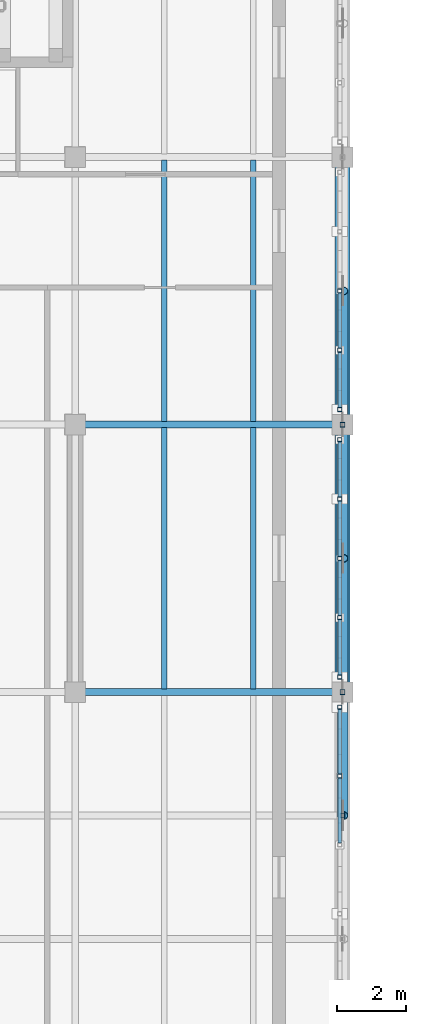
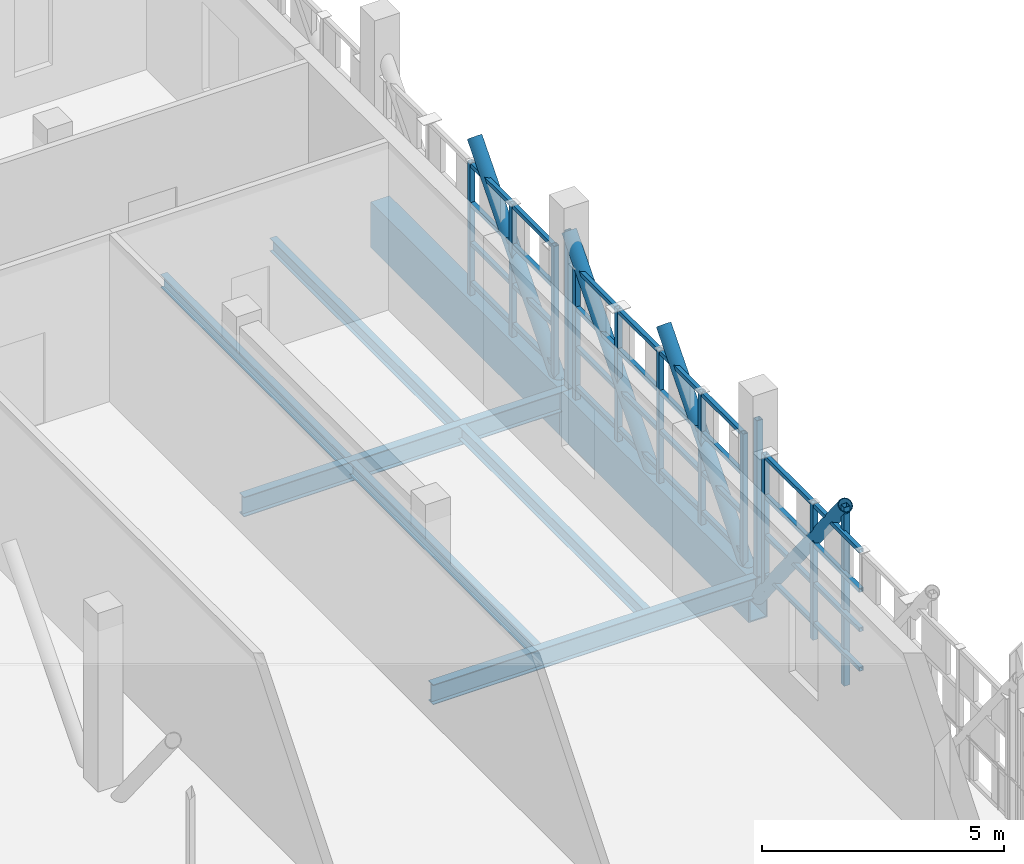
# One storey, part 42 of 119: 49 members, 8 beams.
"""IFC4 building model written with IfcOpenShell, lengths in metres."""

from ifc_helpers import new_model, si_unit, direction, frame, origin, origin_2d, place, context, subcontext, project, spatial, hollow_rectangle, hollow_circle, i_section, extrude, material, material_profile, profile_set, type_object, element, save


model = new_model("IFC4")

# Units and contexts
model_context = context("Model", 3, precision=1e-05, world=origin(), true_north=direction((0.0, 1.0)))
body_context = subcontext(model_context, "Body", "Model", "MODEL_VIEW")
ifc_project = project(units=[si_unit("LENGTHUNIT", "METRE"), si_unit("AREAUNIT", "SQUARE_METRE"), si_unit("VOLUMEUNIT", "CUBIC_METRE"), si_unit("PLANEANGLEUNIT", "RADIAN"), si_unit("MASSUNIT", "GRAM", prefix="KILO")], contexts=[model_context])

# Site, building, storey
site_placement = place(None, origin())
site = spatial("IfcSite", under=ifc_project, at=site_placement, CompositionType="ELEMENT")
building_placement = place(site_placement, origin())
building = spatial("IfcBuilding", under=site, at=building_placement, Name="Celorna Specialist Clinic", CompositionType="ELEMENT")
storey_placement = place(building_placement, frame((0.0, 0.0, 9.60009765625)))
storey = spatial("IfcBuildingStorey", under=building, at=storey_placement, Name="L02", CompositionType="ELEMENT", Elevation=9.60009765625)

# Beams
ifc_material = material(Name="Steel S355", Category="steel")
ifc_material_profile_1 = material_profile(ifc_material, hollow_rectangle(XDim=0.449951171875, YDim=1.14990234375, WallThickness=0.031982421875, at=origin_2d()), Name="BOX 450x1150x32")
ifc_profile_set_1 = profile_set([ifc_material_profile_1], Name="Steel S355")
beam_type_1 = type_object("IfcBeamType", Name="BM-01", PredefinedType="BEAM", material=ifc_profile_set_1)
for number, where, z_axis, x_axis, name in (
    (1, (85.800048828125, 19.5, -0.835205078125), (0.0, 1.0, 0.0), (-1.0, 0.0, 0.0), "Cantilever Pratt truss chord WP-066-WP-067"),
    (2, (85.800048828125, 27.300048828125, -0.835205078125), (0.0, 1.0, 0.0), (-1.0, 0.0, 0.0), "Cantilever Pratt truss chord WP-067-WP-068"),
):
    element("IfcBeam", number, at=place(storey_placement, frame(where, z_axis=z_axis, x_axis=x_axis)), inside=storey, type_object=beam_type_1, Name=name, PredefinedType="BEAM", context=body_context, shape_type="SweptSolid", body=[
        extrude(hollow_rectangle(XDim=0.449951171875, YDim=1.14990234375, WallThickness=0.031982421875, at=origin_2d()), origin(), (0.0, 0.0, 1.0), 7.800048828125),
    ])
ifc_material_profile_2 = material_profile(ifc_material, i_section(OverallWidth=0.199951171875, OverallDepth=0.5, WebThickness=0.01025390625, FlangeThickness=0.01611328125, at=origin_2d()), Name="IPE 500")
ifc_profile_set_2 = profile_set([ifc_material_profile_2], Name="Steel S355")
beam_type_2 = type_object("IfcBeamType", Name="BM-08", PredefinedType="BEAM", material=ifc_profile_set_2)
for number, where, z_axis, x_axis, name in (
    (3, (78.0, 19.5, -0.510009765625), (1.0, 0.0, 0.0), (0.0, 1.0, 0.0), "Primary girder BM-08 #2112"),
    (4, (78.0, 27.300048828125, -0.510009765625), (1.0, 0.0, 0.0), (0.0, 1.0, 0.0), "Primary girder BM-08 #2116"),
):
    element("IfcBeam", number, at=place(storey_placement, frame(where, z_axis=z_axis, x_axis=x_axis)), inside=storey, type_object=beam_type_2, Name=name, PredefinedType="BEAM", context=body_context, shape_type="SweptSolid", body=[
        extrude(i_section(OverallWidth=0.199951171875, OverallDepth=0.5, WebThickness=0.01025390625, FlangeThickness=0.01611328125, at=origin_2d()), origin(), (0.0, 0.0, 1.0), 7.800048828125),
    ])
ifc_material_profile_3 = material_profile(ifc_material, i_section(OverallWidth=0.159912109375, OverallDepth=0.330078125, WebThickness=0.007568359375, FlangeThickness=0.011474609375, at=origin_2d()), Name="IPE 330")
ifc_profile_set_3 = profile_set([ifc_material_profile_3], Name="Steel S355")
beam_type_3 = type_object("IfcBeamType", Name="BM-12", PredefinedType="JOIST", material=ifc_profile_set_3)
for number, where, z_axis, x_axis, name in (
    (5, (80.60009765625, 19.587890625, -0.425048828125), (0.0, 1.0, 0.0), (-1.0, 0.0, 0.0), "Secondary floor joist BM-12 #2154"),
    (6, (83.199951171875, 19.587890625, -0.425048828125), (0.0, 1.0, 0.0), (-1.0, 0.0, 0.0), "Secondary floor joist BM-12 #2155"),
    (7, (80.60009765625, 27.387939453125, -0.425048828125), (0.0, 1.0, 0.0), (-1.0, 0.0, 0.0), "Secondary floor joist BM-12 #2156"),
    (8, (83.199951171875, 27.387939453125, -0.425048828125), (0.0, 1.0, 0.0), (-1.0, 0.0, 0.0), "Secondary floor joist BM-12 #2157"),
):
    element("IfcBeam", number, at=place(storey_placement, frame(where, z_axis=z_axis, x_axis=x_axis)), inside=storey, type_object=beam_type_3, Name=name, PredefinedType="JOIST", context=body_context, shape_type="SweptSolid", body=[
        extrude(i_section(OverallWidth=0.159912109375, OverallDepth=0.330078125, WebThickness=0.007568359375, FlangeThickness=0.011474609375, at=origin_2d()), origin(), (0.0, 0.0, 1.0), 7.6240234375),
    ])

# Members
ifc_material_profile_4 = material_profile(ifc_material, hollow_circle(Radius=0.161865234375, WallThickness=0.01611328125, at=origin_2d()), Name="CHS 323.9x16")
ifc_profile_set_4 = profile_set([ifc_material_profile_4], Name="Steel S355")
member_type_1 = type_object("IfcMemberType", Name="MB-05", PredefinedType="BRACE", material=ifc_profile_set_4)
member_placement = place(storey_placement, frame((85.800048828125, 15.89990234375, 3.664794921875), z_axis=(0.0, 0.624705380279, -0.780860543151), x_axis=(-1.0, 0.0, 0.0)))
element("IfcMember", 9, at=member_placement, inside=storey, type_object=member_type_1, Name="Cantilever Pratt truss web diagonal WP-085-WP-066", PredefinedType="BRACE", context=body_context, shape_type="SweptSolid", body=[
    extrude(hollow_circle(Radius=0.161865234375, WallThickness=0.01611328125, at=origin_2d()), origin(), (0.0, 0.0, 1.0), 5.762939453125),
])
for number, where, z_axis, x_axis, name in (
    (10, (85.800048828125, 19.5, -0.835205078125), (0.0, 0.654921173069, 0.755697199324), (-1.0, 0.0, 0.0), "Cantilever Pratt truss web diagonal WP-066-WP-086"),
    (11, (85.800048828125, 23.39990234375, -0.835205078125), (0.0, 0.654944585876, 0.755676908098), (-1.0, 0.0, 0.0), "Cantilever Pratt truss web diagonal WP-087-WP-072"),
    (12, (85.800048828125, 27.300048828125, -0.835205078125), (0.0, 0.654921173069, 0.755697199324), (-1.0, 0.0, 0.0), "Cantilever Pratt truss web diagonal WP-067-WP-088"),
):
    element("IfcMember", number, at=place(storey_placement, frame(where, z_axis=z_axis, x_axis=x_axis)), inside=storey, type_object=member_type_1, Name=name, PredefinedType="BRACE", context=body_context, shape_type="SweptSolid", body=[
        extrude(hollow_circle(Radius=0.161865234375, WallThickness=0.01611328125, at=origin_2d()), origin(), (0.0, 0.0, 1.0), 5.954833984375),
    ])
ifc_material_profile_5 = material_profile(ifc_material, hollow_rectangle(XDim=0.139892578125, YDim=0.139892578125, WallThickness=0.008056640625, at=origin_2d()), Name="SHS 140x140x8")
ifc_profile_set_5 = profile_set([ifc_material_profile_5], Name="Steel S355")
member_type_2 = type_object("IfcMemberType", Name="MB-10", PredefinedType="CHORD", material=ifc_profile_set_5)
for number, where, z_axis, x_axis, name in (
    (13, (85.800048828125, 15.89990234375, -0.835205078125), (0.0, 0.0, 1.0), (1.0, 0.0, 0.0), "Cantilever Pratt truss vertical post WP-084-WP-085"),
    (14, (85.800048828125, 19.5, -0.835205078125), (0.0, 0.0, 1.0), (1.0, 0.0, 0.0), "Cantilever Pratt truss vertical post WP-066-WP-071"),
    (15, (85.800048828125, 27.300048828125, -0.835205078125), (0.0, 0.0, 1.0), (1.0, 0.0, 0.0), "Cantilever Pratt truss vertical post WP-067-WP-072"),
):
    element("IfcMember", number, at=place(storey_placement, frame(where, z_axis=z_axis, x_axis=x_axis)), inside=storey, type_object=member_type_2, Name=name, PredefinedType="CHORD", context=body_context, shape_type="SweptSolid", body=[
        extrude(hollow_rectangle(XDim=0.139892578125, YDim=0.139892578125, WallThickness=0.008056640625, at=origin_2d()), origin(), (0.0, 0.0, 1.0), 4.5),
    ])
ifc_material_profile_6 = material_profile(ifc_material, hollow_rectangle(XDim=0.1201171875, YDim=0.1201171875, WallThickness=0.008056640625, at=origin_2d()), Name="SHS 120x120x8")
ifc_profile_set_6 = profile_set([ifc_material_profile_6], Name="Steel S355")
member_type_3 = type_object("IfcMemberType", Name="MB-11", PredefinedType="STUD", material=ifc_profile_set_6)
for number, where, z_axis, x_axis, name in (
    (16, (85.719970703125, 17.052001953125, -0.360107421875), (0.0, 0.0, 1.0), (1.0, 0.0, 0.0), "Perforated screen steel post #360"),
    (17, (85.719970703125, 19.06005859375, -0.360107421875), (0.0, 0.0, 1.0), (1.0, 0.0, 0.0), "Perforated screen steel post #361"),
    (18, (85.719970703125, 19.93994140625, -0.360107421875), (0.0, 0.0, 1.0), (1.0, 0.0, 0.0), "Perforated screen steel post #382"),
    (19, (85.719970703125, 21.669921875, -0.360107421875), (0.0, 0.0, 1.0), (1.0, 0.0, 0.0), "Perforated screen steel post #383"),
    (20, (85.719970703125, 23.39990234375, -0.360107421875), (0.0, 0.0, 1.0), (1.0, 0.0, 0.0), "Perforated screen steel post #384"),
    (21, (85.719970703125, 25.1298828125, -0.360107421875), (0.0, 0.0, 1.0), (1.0, 0.0, 0.0), "Perforated screen steel post #385"),
    (22, (85.719970703125, 26.860107421875, -0.360107421875), (0.0, 0.0, 1.0), (1.0, 0.0, 0.0), "Perforated screen steel post #386"),
    (23, (85.719970703125, 27.739990234375, -0.360107421875), (0.0, 0.0, 1.0), (1.0, 0.0, 0.0), "Perforated screen steel post #403"),
    (24, (85.719970703125, 29.469970703125, -0.360107421875), (0.0, 0.0, 1.0), (1.0, 0.0, 0.0), "Perforated screen steel post #404"),
    (25, (85.719970703125, 31.199951171875, -0.360107421875), (0.0, 0.0, 1.0), (1.0, 0.0, 0.0), "Perforated screen steel post #405"),
):
    element("IfcMember", number, at=place(storey_placement, frame(where, z_axis=z_axis, x_axis=x_axis)), inside=storey, type_object=member_type_3, Name=name, PredefinedType="STUD", context=body_context, shape_type="SweptSolid", body=[
        extrude(hollow_rectangle(XDim=0.1201171875, YDim=0.1201171875, WallThickness=0.008056640625, at=origin_2d()), origin(), (0.0, 0.0, 1.0), 3.43994140625),
    ])
ifc_material_profile_7 = material_profile(ifc_material, hollow_rectangle(XDim=0.10009765625, YDim=0.10009765625, WallThickness=0.006103515625, at=origin_2d()), Name="SHS 100x100x6")
ifc_profile_set_7 = profile_set([ifc_material_profile_7], Name="Steel S355")
member_type_4 = type_object("IfcMemberType", Name="MB-12", PredefinedType="STUD", material=ifc_profile_set_7)
for number, where, z_axis, x_axis, name in (
    (26, (85.719970703125, 15.10400390625, 0.0498046875), (0.0, 1.0, 0.0), (-1.0, 0.0, 0.0), "Perforated screen rail #374"),
    (27, (85.719970703125, 15.10400390625, 1.043212890625), (0.0, 1.0, 0.0), (-1.0, 0.0, 0.0), "Perforated screen rail #375"),
    (28, (85.719970703125, 15.10400390625, 2.03662109375), (0.0, 1.0, 0.0), (-1.0, 0.0, 0.0), "Perforated screen rail #376"),
    (29, (85.719970703125, 15.10400390625, 3.02978515625), (0.0, 1.0, 0.0), (-1.0, 0.0, 0.0), "Perforated screen rail #377"),
    (30, (85.719970703125, 17.112060546875, 0.0498046875), (0.0, 1.0, 0.0), (-1.0, 0.0, 0.0), "Perforated screen rail #378"),
    (31, (85.719970703125, 17.112060546875, 1.043212890625), (0.0, 1.0, 0.0), (-1.0, 0.0, 0.0), "Perforated screen rail #379"),
    (32, (85.719970703125, 17.112060546875, 2.03662109375), (0.0, 1.0, 0.0), (-1.0, 0.0, 0.0), "Perforated screen rail #380"),
    (33, (85.719970703125, 17.112060546875, 3.02978515625), (0.0, 1.0, 0.0), (-1.0, 0.0, 0.0), "Perforated screen rail #381"),
):
    element("IfcMember", number, at=place(storey_placement, frame(where, z_axis=z_axis, x_axis=x_axis)), inside=storey, type_object=member_type_4, Name=name, PredefinedType="STUD", context=body_context, shape_type="SweptSolid", body=[
        extrude(hollow_rectangle(XDim=0.10009765625, YDim=0.10009765625, WallThickness=0.006103515625, at=origin_2d()), origin(), (0.0, 0.0, 1.0), 1.887939453125),
    ])
for number, where, z_axis, x_axis, name in (
    (34, (85.719970703125, 20.0, 0.0498046875), (0.0, 1.0, 0.0), (-1.0, 0.0, 0.0), "Perforated screen rail #387"),
    (35, (85.719970703125, 20.0, 1.043212890625), (0.0, 1.0, 0.0), (-1.0, 0.0, 0.0), "Perforated screen rail #388"),
    (36, (85.719970703125, 20.0, 2.03662109375), (0.0, 1.0, 0.0), (-1.0, 0.0, 0.0), "Perforated screen rail #389"),
    (37, (85.719970703125, 20.0, 3.02978515625), (0.0, 1.0, 0.0), (-1.0, 0.0, 0.0), "Perforated screen rail #390"),
    (38, (85.719970703125, 21.72998046875, 0.0498046875), (0.0, 1.0, 0.0), (-1.0, 0.0, 0.0), "Perforated screen rail #391"),
    (39, (85.719970703125, 21.72998046875, 1.043212890625), (0.0, 1.0, 0.0), (-1.0, 0.0, 0.0), "Perforated screen rail #392"),
    (40, (85.719970703125, 21.72998046875, 2.03662109375), (0.0, 1.0, 0.0), (-1.0, 0.0, 0.0), "Perforated screen rail #393"),
    (41, (85.719970703125, 21.72998046875, 3.02978515625), (0.0, 1.0, 0.0), (-1.0, 0.0, 0.0), "Perforated screen rail #394"),
    (42, (85.719970703125, 23.4599609375, 0.0498046875), (0.0, 1.0, 0.0), (-1.0, 0.0, 0.0), "Perforated screen rail #395"),
    (43, (85.719970703125, 23.4599609375, 1.043212890625), (0.0, 1.0, 0.0), (-1.0, 0.0, 0.0), "Perforated screen rail #396"),
    (44, (85.719970703125, 23.4599609375, 2.03662109375), (0.0, 1.0, 0.0), (-1.0, 0.0, 0.0), "Perforated screen rail #397"),
    (45, (85.719970703125, 23.4599609375, 3.02978515625), (0.0, 1.0, 0.0), (-1.0, 0.0, 0.0), "Perforated screen rail #398"),
    (46, (85.719970703125, 25.18994140625, 0.0498046875), (0.0, 1.0, 0.0), (-1.0, 0.0, 0.0), "Perforated screen rail #399"),
    (47, (85.719970703125, 25.18994140625, 1.043212890625), (0.0, 1.0, 0.0), (-1.0, 0.0, 0.0), "Perforated screen rail #400"),
    (48, (85.719970703125, 25.18994140625, 2.03662109375), (0.0, 1.0, 0.0), (-1.0, 0.0, 0.0), "Perforated screen rail #401"),
    (49, (85.719970703125, 25.18994140625, 3.02978515625), (0.0, 1.0, 0.0), (-1.0, 0.0, 0.0), "Perforated screen rail #402"),
):
    element("IfcMember", number, at=place(storey_placement, frame(where, z_axis=z_axis, x_axis=x_axis)), inside=storey, type_object=member_type_4, Name=name, PredefinedType="STUD", context=body_context, shape_type="SweptSolid", body=[
        extrude(hollow_rectangle(XDim=0.10009765625, YDim=0.10009765625, WallThickness=0.006103515625, at=origin_2d()), origin(), (0.0, 0.0, 1.0), 1.610107421875),
    ])
for number, where, z_axis, x_axis, name in (
    (50, (85.719970703125, 27.800048828125, 0.0498046875), (0.0, 1.0, 0.0), (-1.0, 0.0, 0.0), "Perforated screen rail #408"),
    (51, (85.719970703125, 27.800048828125, 1.043212890625), (0.0, 1.0, 0.0), (-1.0, 0.0, 0.0), "Perforated screen rail #409"),
    (52, (85.719970703125, 27.800048828125, 2.03662109375), (0.0, 1.0, 0.0), (-1.0, 0.0, 0.0), "Perforated screen rail #410"),
    (53, (85.719970703125, 27.800048828125, 3.02978515625), (0.0, 1.0, 0.0), (-1.0, 0.0, 0.0), "Perforated screen rail #411"),
    (54, (85.719970703125, 29.530029296875, 0.0498046875), (0.0, 1.0, 0.0), (-1.0, 0.0, 0.0), "Perforated screen rail #412"),
    (55, (85.719970703125, 29.530029296875, 1.043212890625), (0.0, 1.0, 0.0), (-1.0, 0.0, 0.0), "Perforated screen rail #413"),
    (56, (85.719970703125, 29.530029296875, 2.03662109375), (0.0, 1.0, 0.0), (-1.0, 0.0, 0.0), "Perforated screen rail #414"),
    (57, (85.719970703125, 29.530029296875, 3.02978515625), (0.0, 1.0, 0.0), (-1.0, 0.0, 0.0), "Perforated screen rail #415"),
):
    element("IfcMember", number, at=place(storey_placement, frame(where, z_axis=z_axis, x_axis=x_axis)), inside=storey, type_object=member_type_4, Name=name, PredefinedType="STUD", context=body_context, shape_type="SweptSolid", body=[
        extrude(hollow_rectangle(XDim=0.10009765625, YDim=0.10009765625, WallThickness=0.006103515625, at=origin_2d()), origin(), (0.0, 0.0, 1.0), 1.60986328125),
    ])

save(model, "model.ifc")
